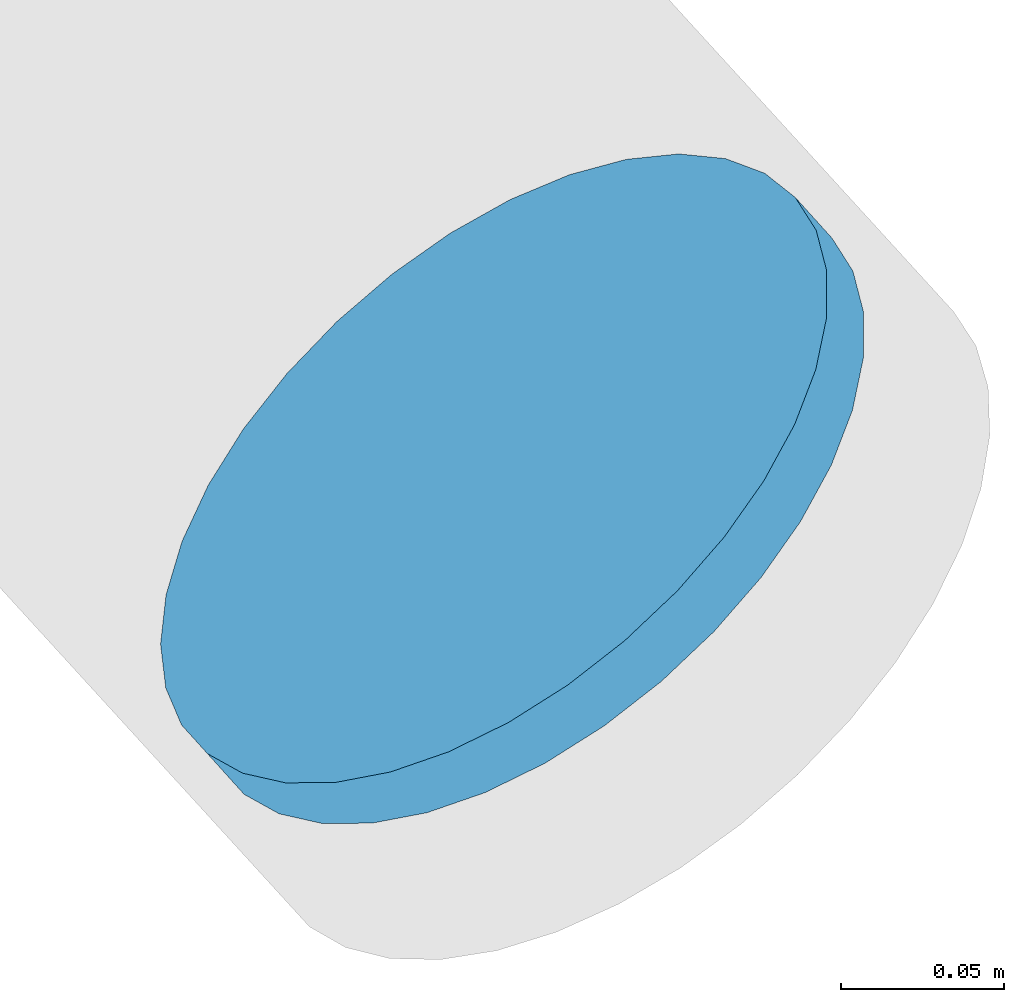
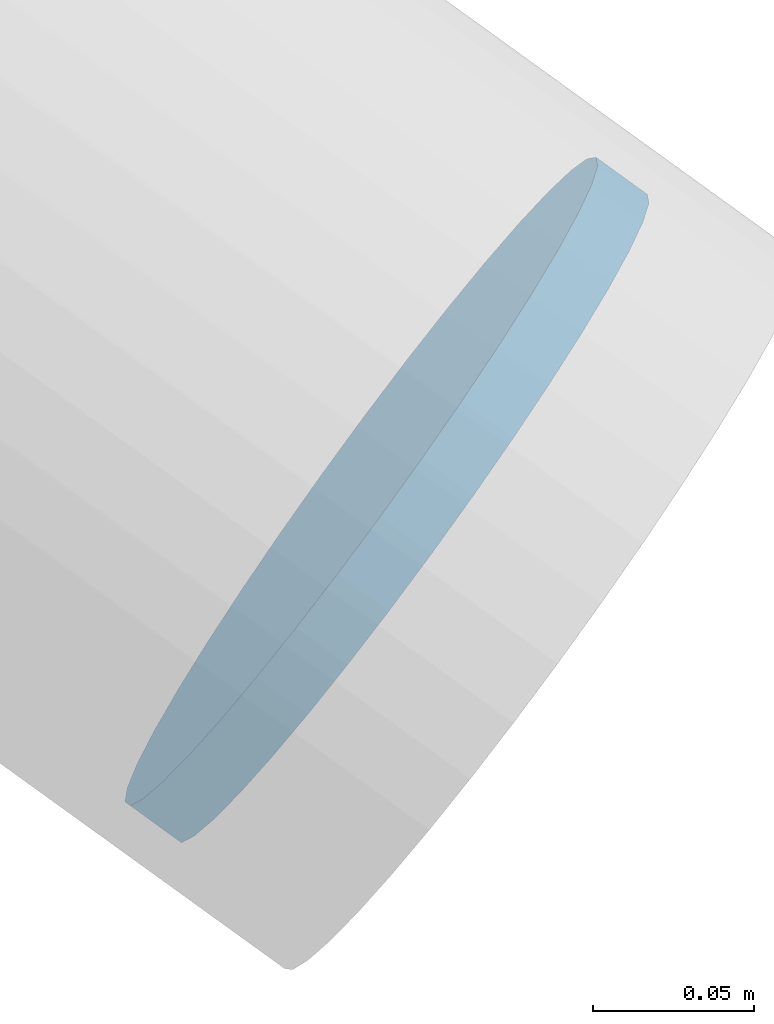
# One storey, part 29 of 36: 1 discrete accessory.
"""IFC4 building model written with IfcOpenShell, lengths in metres."""

import ifcopenshell
import ifcopenshell.guid

model = None  # the IFC model being written
_history = None  # IfcOwnerHistory: only IFC2X3 demands one
_inside = {}  # id of a spatial element -> (the spatial element, [elements in it])
_under = {}  # id of a project, library or spatial element -> (it, [spatial elements below it])
_declared = {}  # id of a project -> (the project, [libraries it declares])
_typed = {}  # id of a type object -> (the type object, [elements of that type])
_made_of = {}  # id of a material, layer set ... -> (it, [elements and type objects made of it])


def new_model(schema):
    """Start an empty IFC model of exactly this schema.

    Asked for "IFC4X3", IfcOpenShell would pick the latest addendum, in which some entities
    have other attributes; the version numbers below select the first issue.
    IFC2X3 requires an IfcOwnerHistory on every rooted entity: one is made here for all.
    """
    global model, _history
    if schema == "IFC4X3":
        model = ifcopenshell.file(schema_version=(4, 3, 0, 0))
    else:
        model = ifcopenshell.file(schema=schema)
    _inside.clear()
    _under.clear()
    _declared.clear()
    _typed.clear()
    _made_of.clear()
    _history = None
    if model.schema == "IFC2X3":
        org = make("IfcOrganization", Name="unknown")
        user = make(
            "IfcPersonAndOrganization",
            ThePerson=make("IfcPerson", FamilyName="unknown"),
            TheOrganization=org,
        )
        app = make(
            "IfcApplication",
            ApplicationDeveloper=org,
            Version="unknown",
            ApplicationFullName="unknown",
            ApplicationIdentifier="unknown",
        )
        _history = make(
            "IfcOwnerHistory",
            OwningUser=user,
            OwningApplication=app,
            ChangeAction="ADDED",
            CreationDate=0,
        )
    return model


def make(cls, **values):
    """One entity of the class cls with the attributes given. An attribute that is None is left unset."""
    return model.create_entity(
        cls, **{name: value for name, value in values.items() if value is not None}
    )


def rooted(cls, **values):
    """An entity with a GlobalId (a new one), such as an element, a storey or a relation."""
    return make(cls, GlobalId=ifcopenshell.guid.new(), OwnerHistory=_history, **values)


def si_unit(unit_type, name, prefix=None):
    """IfcSIUnit, for example si_unit("LENGTHUNIT", "METRE", prefix="MILLI")."""
    return make("IfcSIUnit", UnitType=unit_type, Prefix=prefix, Name=name)


def assignment(units):
    """IfcUnitAssignment: the units of a project."""
    return None if units is None else make("IfcUnitAssignment", Units=units)


def point(xyz):
    """IfcCartesianPoint."""
    return None if xyz is None else make("IfcCartesianPoint", Coordinates=xyz)


def direction(xyz):
    """IfcDirection."""
    return None if xyz is None else make("IfcDirection", DirectionRatios=xyz)


def frame(location, z_axis=None, x_axis=None):
    """IfcAxis2Placement3D, a coordinate frame: its origin and axes. An axis left out is left unset."""
    return make(
        "IfcAxis2Placement3D",
        Location=point(location),
        Axis=direction(z_axis),
        RefDirection=direction(x_axis),
    )


def frame_2d(location, x_axis=None):
    """IfcAxis2Placement2D, a coordinate frame in the plane: its origin and x axis."""
    return make(
        "IfcAxis2Placement2D", Location=point(location), RefDirection=direction(x_axis)
    )


def origin():
    """The frame at (0, 0, 0) with its axes left unset."""
    return frame((0.0, 0.0, 0.0))


def origin_2d():
    """The frame at (0, 0) in the plane with its x axis left unset."""
    return frame_2d((0.0, 0.0))


def place(relative_to, where):
    """IfcLocalPlacement: puts the frame where relative to a parent placement (None: the world)."""
    return make(
        "IfcLocalPlacement", PlacementRelTo=relative_to, RelativePlacement=where
    )


def context(
    kind, dimensions, precision=None, world=None, true_north=None, identifier=None
):
    """IfcGeometricRepresentationContext, for example the 3D "Model" context."""
    return make(
        "IfcGeometricRepresentationContext",
        ContextIdentifier=identifier,
        ContextType=kind,
        CoordinateSpaceDimension=dimensions,
        Precision=precision,
        WorldCoordinateSystem=world,
        TrueNorth=true_north,
    )


def subcontext(parent, identifier, kind, view, scale=None):
    """IfcGeometricRepresentationSubContext, for example "Body" below "Model"."""
    return make(
        "IfcGeometricRepresentationSubContext",
        ContextIdentifier=identifier,
        ContextType=kind,
        ParentContext=parent,
        TargetScale=scale,
        TargetView=view,
    )


def project(units=None, contexts=None):
    """IfcProject with its units and contexts."""
    return rooted(
        "IfcProject",
        Name="project",
        RepresentationContexts=contexts,
        UnitsInContext=assignment(units),
    )


def spatial(cls, under=None, at=None, **own):
    """A site, building, storey or space (cls), placed at a placement, below another one or the project."""
    s = rooted(cls, ObjectPlacement=at, **own)
    if under is not None:
        _under.setdefault(under.id(), (under, []))[1].append(s)
    return s


def profile(cls, at=None, kind="AREA", **sizes):
    """A parametric profile (cls). Its sizes go by their IFC names, for example OverallWidth=200.0."""
    return make(cls, ProfileType=kind, Position=at, **sizes)


def circle(**sizes):
    """IfcCircleProfileDef."""
    return profile("IfcCircleProfileDef", **sizes)


def extrude(swept, where, along, depth):
    """IfcExtrudedAreaSolid: the profile swept, set in the frame where, extruded along a direction by depth."""
    return make(
        "IfcExtrudedAreaSolid",
        SweptArea=swept,
        Position=where,
        ExtrudedDirection=direction(along),
        Depth=depth,
    )


def shape(context_of_items, identifier, shape_type, items):
    """IfcShapeRepresentation: the items that make up one representation, for example the "Body"."""
    return make(
        "IfcShapeRepresentation",
        ContextOfItems=context_of_items,
        RepresentationIdentifier=identifier,
        RepresentationType=shape_type,
        Items=items,
    )


def material(Name=None, Category=None):
    """IfcMaterial."""
    return make("IfcMaterial", Name=Name, Category=Category)


def material_profile(
    of_material, cross_section, Name=None, Category=None, Priority=None
):
    """IfcMaterialProfile: a cross section and its material."""
    return make(
        "IfcMaterialProfile",
        Name=Name,
        Material=of_material,
        Profile=cross_section,
        Priority=Priority,
        Category=Category,
    )


def profile_set(profiles, Name=None, composite=None):
    """IfcMaterialProfileSet."""
    return make(
        "IfcMaterialProfileSet",
        Name=Name,
        MaterialProfiles=profiles,
        CompositeProfile=composite,
    )


def made_of(thing, what):
    """Note that an element or type object is made of a material, layer set ...; save() writes the relation."""
    if what is not None:
        _made_of.setdefault(what.id(), (what, []))[1].append(thing)
    return thing


def type_object(cls, material=None, **own):
    """A type object (cls), such as IfcWallType, which elements share."""
    return made_of(rooted(cls, **own), material)


def element(
    cls,
    number,
    at=None,
    inside=None,
    cuts=None,
    type_object=None,
    material=None,
    context=None,
    identifier="Body",
    shape_type=None,
    held_by="IfcProductDefinitionShape",
    body=None,
    shapes=None,
    **own,
):
    """One element of the class cls, such as IfcWall. Its Tag is "e" and its number.

    at: its placement. inside: the storey or other place that contains it. cuts: it is an
    opening in that element (IfcRelVoidsElement). A single representation is given by context,
    identifier, shape_type and body (its items); several are given by shapes. held_by: the class
    of the entity that holds the representations. save() writes the other relations.
    """
    e = rooted(cls, Tag="e%d" % number, ObjectPlacement=at, **own)
    if body is not None:
        shapes = [shape(context, identifier, shape_type, body)]
    if shapes is not None:
        e.Representation = make(held_by, Representations=shapes)
    if inside is not None:
        _inside.setdefault(inside.id(), (inside, []))[1].append(e)
    if cuts is not None:
        rooted(
            "IfcRelVoidsElement", RelatingBuildingElement=cuts, RelatedOpeningElement=e
        )
    if type_object is not None:
        _typed.setdefault(type_object.id(), (type_object, []))[1].append(e)
    return made_of(e, material)


def aggregate(whole, parts):
    """IfcRelAggregates: a whole, such as a stair, and the parts it consists of."""
    return rooted("IfcRelAggregates", RelatingObject=whole, RelatedObjects=parts)


def save(model, path):
    """Write the relations noted so far, then the file.

    IfcRelAggregates (storeys below a building ...), IfcRelContainedInSpatialStructure (elements
    in a storey), IfcRelDefinesByType, IfcRelAssociatesMaterial and IfcRelDeclares: one each for
    every whole, place, type object, material and project.
    """
    for whole, parts in _under.values():
        aggregate(whole, parts)
    for where, things in _inside.values():
        rooted(
            "IfcRelContainedInSpatialStructure",
            RelatedElements=things,
            RelatingStructure=where,
        )
    for kind, things in _typed.values():
        rooted("IfcRelDefinesByType", RelatedObjects=things, RelatingType=kind)
    for what, things in _made_of.values():
        rooted("IfcRelAssociatesMaterial", RelatedObjects=things, RelatingMaterial=what)
    for by, libraries in _declared.values():
        rooted("IfcRelDeclares", RelatingContext=by, RelatedDefinitions=libraries)
    model.write(path)


model = new_model("IFC4")

# Units and contexts
model_context = context("Model", 3, precision=1e-05, world=origin(), true_north=direction((0.0, 1.0)))
body_context = subcontext(model_context, "Body", "Model", "MODEL_VIEW")
ifc_project = project(units=[si_unit("LENGTHUNIT", "METRE"), si_unit("AREAUNIT", "SQUARE_METRE"), si_unit("VOLUMEUNIT", "CUBIC_METRE"), si_unit("PLANEANGLEUNIT", "RADIAN"), si_unit("MASSUNIT", "GRAM", prefix="KILO")], contexts=[model_context])

# Site, building, storey
site_placement = place(None, origin())
site = spatial("IfcSite", under=ifc_project, at=site_placement, CompositionType="ELEMENT")
building_placement = place(site_placement, origin())
building = spatial("IfcBuilding", under=site, at=building_placement, Name="Rimbun Link Towers", CompositionType="ELEMENT")
storey_placement = place(building_placement, frame((0.0, 0.0, 174.10009765625)))
storey = spatial("IfcBuildingStorey", under=building, at=storey_placement, Name="L42", CompositionType="ELEMENT", Elevation=174.10009765625)

# Discrete accessory
ifc_material = material(Name="Steel S355J2H", Category="steel")
ifc_material_profile = material_profile(ifc_material, circle(Radius=0.1240234375, at=origin_2d()), Name="PL D248")
ifc_profile_set = profile_set([ifc_material_profile], Name="Steel S355J2H")
discrete_accessory_type = type_object("IfcDiscreteAccessoryType", Name="Link foot sealing plate D248X20", PredefinedType="BRACKET", material=ifc_profile_set)
discrete_accessory_placement = place(storey_placement, frame((50.138671875, -11.399169921875, -1.973388671875), z_axis=(0.567684965382, -0.629389852924, -0.530662032857), x_axis=(0.742569723569, 0.669768770278, 0.0)))
element("IfcDiscreteAccessory", 1, at=discrete_accessory_placement, inside=storey, type_object=discrete_accessory_type, Name="Link foot sealing plate T2 L42 19", PredefinedType="BRACKET", context=body_context, shape_type="SweptSolid", body=[
    extrude(circle(Radius=0.1240234375, at=origin_2d()), origin(), (0.0, 0.0, 1.0), 0.019775390625),
])

save(model, "model.ifc")
